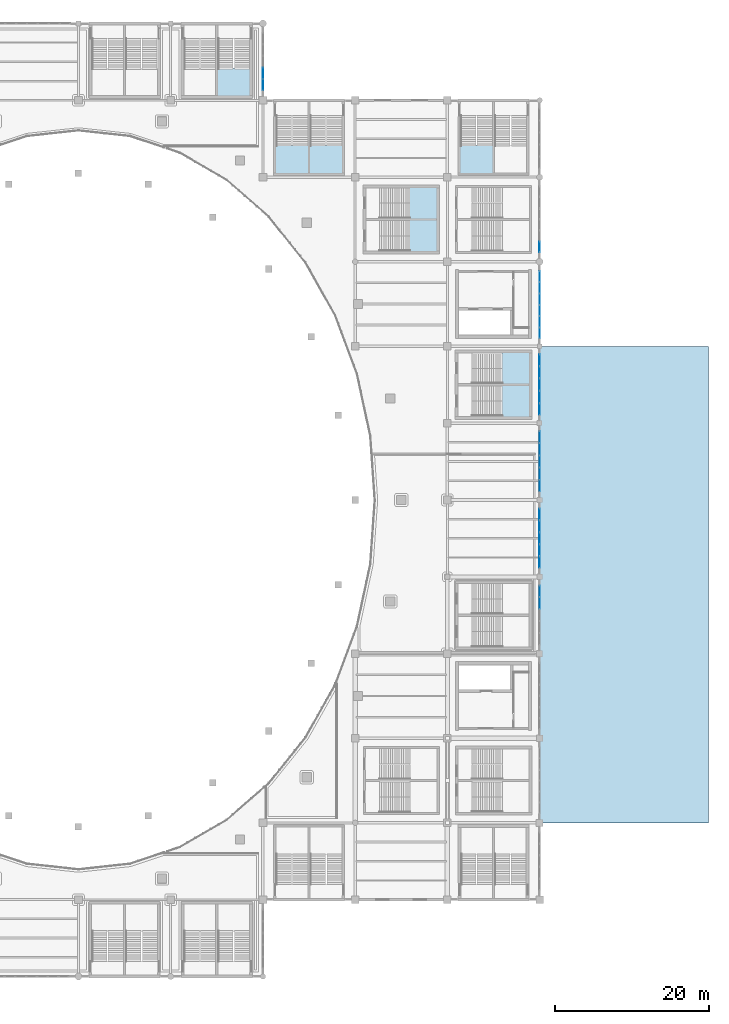
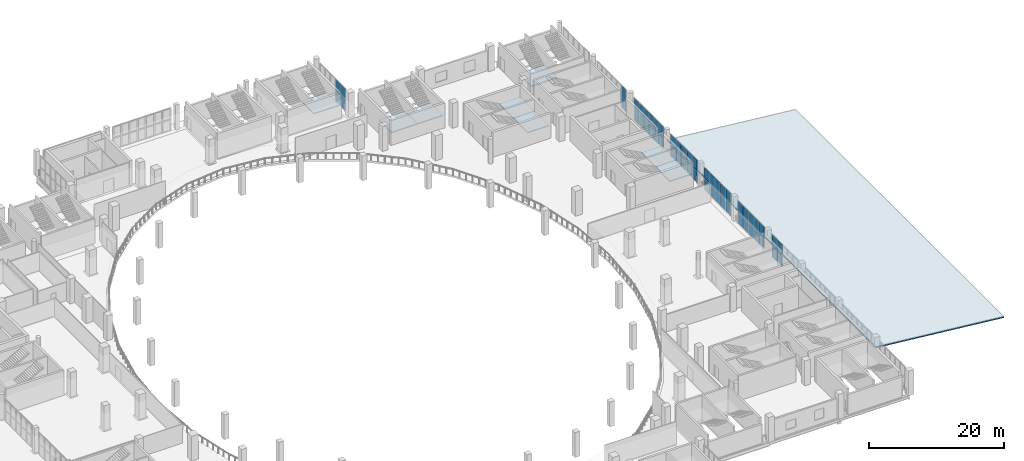
# One storey, part 75 of 108: 52 plates, 9 slabs, 15 elements without a shape of their own.
"""IFC4 building model written with IfcOpenShell, lengths in metres."""

from ifc_helpers import new_model, si_unit, direction, frame, origin, origin_2d, place, context, subcontext, project, spatial, polyline, rectangle, outline, extrude, material, layer, layer_set, type_object, element, aggregate, save


model = new_model("IFC4")

# Units and contexts
model_context = context("Model", 3, precision=1e-05, world=origin(), true_north=direction((0.0, 1.0)))
body_context = subcontext(model_context, "Body", "Model", "MODEL_VIEW")
ifc_project = project(units=[si_unit("LENGTHUNIT", "METRE"), si_unit("AREAUNIT", "SQUARE_METRE"), si_unit("VOLUMEUNIT", "CUBIC_METRE"), si_unit("PLANEANGLEUNIT", "RADIAN"), si_unit("MASSUNIT", "GRAM", prefix="KILO")], contexts=[model_context])

# Site, building, storey
site_placement = place(None, origin())
site = spatial("IfcSite", under=ifc_project, at=site_placement, CompositionType="ELEMENT")
building_placement = place(site_placement, origin())
building = spatial("IfcBuilding", under=site, at=building_placement, Name="Brinegate Civic Arena", CompositionType="ELEMENT")
storey_placement = place(building_placement, frame((0.0, 0.0, 10.199951171875)))
storey = spatial("IfcBuildingStorey", under=building, at=storey_placement, Name="L02", CompositionType="ELEMENT", Elevation=10.199951171875)

# Curtain wall, plates
ifc_material_1 = material(Name="Marine grade aluminium", Category="aluminium")
ifc_layer_1 = layer(ifc_material_1, 0.199951171875, Name="Marine grade aluminium")
ifc_layer_set_1 = layer_set([ifc_layer_1], Name="Marine grade aluminium")
curtain_wall_type_1 = type_object("IfcCurtainWallType", Name="CW-BOWL-GLAZED-01", PredefinedType="USERDEFINED", material=ifc_layer_set_1)
curtain_wall_1_placement = place(storey_placement, origin())
curtain_wall_1 = element("IfcCurtainWall", 1, at=curtain_wall_1_placement, inside=storey, type_object=curtain_wall_type_1, Name="Curtain Wall CWA-080", ObjectType="GLAZED CURTAIN WALL", PredefinedType="USERDEFINED")
ifc_material_2 = material(Name="Hurricane laminated low-E glass", Category="glass")
ifc_layer_2 = layer(ifc_material_2, 0.028076171875, Name="Hurricane laminated low-E glass")
ifc_layer_set_2 = layer_set([ifc_layer_2], Name="Hurricane laminated low-E glass")
plate_type_1 = type_object("IfcPlateType", Name="CW-PANEL-GLAZED-28", PredefinedType="CURTAIN_PANEL", material=ifc_layer_set_2)
plate_1_placement = place(storey_placement, frame((168.0, 48.578857421875, 0.06494140625), z_axis=(0.0, 0.0, 1.0), x_axis=(0.0, 1.0, 0.0)))
plate_1 = element("IfcPlate", 2, at=plate_1_placement, type_object=plate_type_1, Name="CWA-080 panel 4.1", PredefinedType="CURTAIN_PANEL", context=body_context, shape_type="SweptSolid", body=[
    extrude(rectangle(XDim=1.495849609375, YDim=0.028076171875, at=origin_2d()), origin(), (0.0, 0.0, 1.0), 1.9775390625),
])
plate_2_placement = place(storey_placement, frame((168.0, 48.578857421875, 2.107421875), z_axis=(0.0, 0.0, 1.0), x_axis=(0.0, 1.0, 0.0)))
plate_2 = element("IfcPlate", 3, at=plate_2_placement, type_object=plate_type_1, Name="CWA-080 panel 4.2", PredefinedType="CURTAIN_PANEL", context=body_context, shape_type="SweptSolid", body=[
    extrude(rectangle(XDim=1.495849609375, YDim=0.028076171875, at=origin_2d()), origin(), (0.0, 0.0, 1.0), 1.9775390625),
])
plate_3_placement = place(storey_placement, frame((168.0, 50.123291015625, 0.06494140625), z_axis=(0.0, 0.0, 1.0), x_axis=(0.0, 1.0, 0.0)))
plate_3 = element("IfcPlate", 4, at=plate_3_placement, type_object=plate_type_1, Name="CWA-080 panel 5.1", PredefinedType="CURTAIN_PANEL", context=body_context, shape_type="SweptSolid", body=[
    extrude(rectangle(XDim=1.46337890625, YDim=0.028076171875, at=origin_2d()), origin(), (0.0, 0.0, 1.0), 1.9775390625),
])
plate_4_placement = place(storey_placement, frame((168.0, 50.123291015625, 2.107421875), z_axis=(0.0, 0.0, 1.0), x_axis=(0.0, 1.0, 0.0)))
plate_4 = element("IfcPlate", 5, at=plate_4_placement, type_object=plate_type_1, Name="CWA-080 panel 5.2", PredefinedType="CURTAIN_PANEL", context=body_context, shape_type="SweptSolid", body=[
    extrude(rectangle(XDim=1.46337890625, YDim=0.028076171875, at=origin_2d()), origin(), (0.0, 0.0, 1.0), 1.9775390625),
])
aggregate(curtain_wall_1, [plate_1, plate_2, plate_3, plate_4])

curtain_wall_2_placement = place(storey_placement, origin())
curtain_wall_2 = element("IfcCurtainWall", 6, at=curtain_wall_2_placement, inside=storey, type_object=curtain_wall_type_1, Name="Curtain Wall CWA-084", ObjectType="GLAZED CURTAIN WALL", PredefinedType="USERDEFINED")
plate_5_placement = place(storey_placement, frame((168.0, 63.855712890625, 0.06494140625), z_axis=(0.0, 0.0, 1.0), x_axis=(0.0, 1.0, 0.0)))
plate_5 = element("IfcPlate", 7, at=plate_5_placement, type_object=plate_type_1, Name="CWA-084 panel 1.1", PredefinedType="CURTAIN_PANEL", context=body_context, shape_type="SweptSolid", body=[
    extrude(rectangle(XDim=1.491455078125, YDim=0.028076171875, at=origin_2d()), origin(), (0.0, 0.0, 1.0), 1.9775390625),
])
plate_6_placement = place(storey_placement, frame((168.0, 63.855712890625, 2.107421875), z_axis=(0.0, 0.0, 1.0), x_axis=(0.0, 1.0, 0.0)))
plate_6 = element("IfcPlate", 8, at=plate_6_placement, type_object=plate_type_1, Name="CWA-084 panel 1.2", PredefinedType="CURTAIN_PANEL", context=body_context, shape_type="SweptSolid", body=[
    extrude(rectangle(XDim=1.491455078125, YDim=0.028076171875, at=origin_2d()), origin(), (0.0, 0.0, 1.0), 1.9775390625),
])
plate_7_placement = place(storey_placement, frame((168.0, 65.428466796875, 0.06494140625), z_axis=(0.0, 0.0, 1.0), x_axis=(0.0, 1.0, 0.0)))
plate_7 = element("IfcPlate", 9, at=plate_7_placement, type_object=plate_type_1, Name="CWA-084 panel 2.1", PredefinedType="CURTAIN_PANEL", context=body_context, shape_type="SweptSolid", body=[
    extrude(rectangle(XDim=1.52392578125, YDim=0.028076171875, at=origin_2d()), origin(), (0.0, 0.0, 1.0), 1.9775390625),
])
plate_8_placement = place(storey_placement, frame((168.0, 65.428466796875, 2.107421875), z_axis=(0.0, 0.0, 1.0), x_axis=(0.0, 1.0, 0.0)))
plate_8 = element("IfcPlate", 10, at=plate_8_placement, type_object=plate_type_1, Name="CWA-084 panel 2.2", PredefinedType="CURTAIN_PANEL", context=body_context, shape_type="SweptSolid", body=[
    extrude(rectangle(XDim=1.52392578125, YDim=0.028076171875, at=origin_2d()), origin(), (0.0, 0.0, 1.0), 1.9775390625),
])
plate_9_placement = place(storey_placement, frame((168.0, 67.017578125, 0.06494140625), z_axis=(0.0, 0.0, 1.0), x_axis=(0.0, 1.0, 0.0)))
plate_9 = element("IfcPlate", 11, at=plate_9_placement, type_object=plate_type_1, Name="CWA-084 panel 3.1", PredefinedType="CURTAIN_PANEL", context=body_context, shape_type="SweptSolid", body=[
    extrude(rectangle(XDim=1.52392578125, YDim=0.028076171875, at=origin_2d()), origin(), (0.0, 0.0, 1.0), 1.9775390625),
])
plate_10_placement = place(storey_placement, frame((168.0, 67.017578125, 2.107421875), z_axis=(0.0, 0.0, 1.0), x_axis=(0.0, 1.0, 0.0)))
plate_10 = element("IfcPlate", 12, at=plate_10_placement, type_object=plate_type_1, Name="CWA-084 panel 3.2", PredefinedType="CURTAIN_PANEL", context=body_context, shape_type="SweptSolid", body=[
    extrude(rectangle(XDim=1.52392578125, YDim=0.028076171875, at=origin_2d()), origin(), (0.0, 0.0, 1.0), 1.9775390625),
])
plate_11_placement = place(storey_placement, frame((168.0, 68.6064453125, 0.06494140625), z_axis=(0.0, 0.0, 1.0), x_axis=(0.0, 1.0, 0.0)))
plate_11 = element("IfcPlate", 13, at=plate_11_placement, type_object=plate_type_1, Name="CWA-084 panel 4.1", PredefinedType="CURTAIN_PANEL", context=body_context, shape_type="SweptSolid", body=[
    extrude(rectangle(XDim=1.52392578125, YDim=0.028076171875, at=origin_2d()), origin(), (0.0, 0.0, 1.0), 1.9775390625),
])
plate_12_placement = place(storey_placement, frame((168.0, 68.6064453125, 2.107421875), z_axis=(0.0, 0.0, 1.0), x_axis=(0.0, 1.0, 0.0)))
plate_12 = element("IfcPlate", 14, at=plate_12_placement, type_object=plate_type_1, Name="CWA-084 panel 4.2", PredefinedType="CURTAIN_PANEL", context=body_context, shape_type="SweptSolid", body=[
    extrude(rectangle(XDim=1.52392578125, YDim=0.028076171875, at=origin_2d()), origin(), (0.0, 0.0, 1.0), 1.9775390625),
])
plate_13_placement = place(storey_placement, frame((168.0, 70.17919921875, 0.06494140625), z_axis=(0.0, 0.0, 1.0), x_axis=(0.0, 1.0, 0.0)))
plate_13 = element("IfcPlate", 15, at=plate_13_placement, type_object=plate_type_1, Name="CWA-084 panel 5.1", PredefinedType="CURTAIN_PANEL", context=body_context, shape_type="SweptSolid", body=[
    extrude(rectangle(XDim=1.491455078125, YDim=0.028076171875, at=origin_2d()), origin(), (0.0, 0.0, 1.0), 1.9775390625),
])
plate_14_placement = place(storey_placement, frame((168.0, 70.17919921875, 2.107421875), z_axis=(0.0, 0.0, 1.0), x_axis=(0.0, 1.0, 0.0)))
plate_14 = element("IfcPlate", 16, at=plate_14_placement, type_object=plate_type_1, Name="CWA-084 panel 5.2", PredefinedType="CURTAIN_PANEL", context=body_context, shape_type="SweptSolid", body=[
    extrude(rectangle(XDim=1.491455078125, YDim=0.028076171875, at=origin_2d()), origin(), (0.0, 0.0, 1.0), 1.9775390625),
])
aggregate(curtain_wall_2, [plate_5, plate_6, plate_7, plate_8, plate_9, plate_10, plate_11, plate_12, plate_13, plate_14])

curtain_wall_3_placement = place(storey_placement, origin())
curtain_wall_3 = element("IfcCurtainWall", 17, at=curtain_wall_3_placement, inside=storey, type_object=curtain_wall_type_1, Name="Curtain Wall CWA-088", ObjectType="GLAZED CURTAIN WALL", PredefinedType="USERDEFINED")
plate_15_placement = place(storey_placement, frame((168.0, 83.726806640625, 0.0751953125), z_axis=(0.0, 0.0, 1.0), x_axis=(0.0, 1.0, 0.0)))
plate_15 = element("IfcPlate", 18, at=plate_15_placement, type_object=plate_type_1, Name="CWA-088 panel 1.1", PredefinedType="CURTAIN_PANEL", context=body_context, shape_type="SweptSolid", body=[
    extrude(rectangle(XDim=1.375732421875, YDim=0.028076171875, at=origin_2d()), origin(), (0.0, 0.0, 1.0), 1.96240234375),
])
plate_16_placement = place(storey_placement, frame((168.0, 83.726806640625, 2.112548828125), z_axis=(0.0, 0.0, 1.0), x_axis=(0.0, 1.0, 0.0)))
plate_16 = element("IfcPlate", 19, at=plate_16_placement, type_object=plate_type_1, Name="CWA-088 panel 1.2", PredefinedType="CURTAIN_PANEL", context=body_context, shape_type="SweptSolid", body=[
    extrude(rectangle(XDim=1.375732421875, YDim=0.028076171875, at=origin_2d()), origin(), (0.0, 0.0, 1.0), 1.96240234375),
])
plate_17_placement = place(storey_placement, frame((168.0, 85.18408203125, 0.0751953125), z_axis=(0.0, 0.0, 1.0), x_axis=(0.0, 1.0, 0.0)))
plate_17 = element("IfcPlate", 20, at=plate_17_placement, type_object=plate_type_1, Name="CWA-088 panel 2.1", PredefinedType="CURTAIN_PANEL", context=body_context, shape_type="SweptSolid", body=[
    extrude(rectangle(XDim=1.408447265625, YDim=0.028076171875, at=origin_2d()), origin(), (0.0, 0.0, 1.0), 1.96240234375),
])
plate_18_placement = place(storey_placement, frame((168.0, 85.18408203125, 2.112548828125), z_axis=(0.0, 0.0, 1.0), x_axis=(0.0, 1.0, 0.0)))
plate_18 = element("IfcPlate", 21, at=plate_18_placement, type_object=plate_type_1, Name="CWA-088 panel 2.2", PredefinedType="CURTAIN_PANEL", context=body_context, shape_type="SweptSolid", body=[
    extrude(rectangle(XDim=1.408447265625, YDim=0.028076171875, at=origin_2d()), origin(), (0.0, 0.0, 1.0), 1.96240234375),
])
plate_19_placement = place(storey_placement, frame((168.0, 86.6572265625, 0.0751953125), z_axis=(0.0, 0.0, 1.0), x_axis=(0.0, 1.0, 0.0)))
plate_19 = element("IfcPlate", 22, at=plate_19_placement, type_object=plate_type_1, Name="CWA-088 panel 3.1", PredefinedType="CURTAIN_PANEL", context=body_context, shape_type="SweptSolid", body=[
    extrude(rectangle(XDim=1.408447265625, YDim=0.028076171875, at=origin_2d()), origin(), (0.0, 0.0, 1.0), 1.96240234375),
])
plate_20_placement = place(storey_placement, frame((168.0, 86.6572265625, 2.112548828125), z_axis=(0.0, 0.0, 1.0), x_axis=(0.0, 1.0, 0.0)))
plate_20 = element("IfcPlate", 23, at=plate_20_placement, type_object=plate_type_1, Name="CWA-088 panel 3.2", PredefinedType="CURTAIN_PANEL", context=body_context, shape_type="SweptSolid", body=[
    extrude(rectangle(XDim=1.408447265625, YDim=0.028076171875, at=origin_2d()), origin(), (0.0, 0.0, 1.0), 1.96240234375),
])
plate_21_placement = place(storey_placement, frame((168.0, 88.130615234375, 0.0751953125), z_axis=(0.0, 0.0, 1.0), x_axis=(0.0, 1.0, 0.0)))
plate_21 = element("IfcPlate", 24, at=plate_21_placement, type_object=plate_type_1, Name="CWA-088 panel 4.1", PredefinedType="CURTAIN_PANEL", context=body_context, shape_type="SweptSolid", body=[
    extrude(rectangle(XDim=1.408447265625, YDim=0.028076171875, at=origin_2d()), origin(), (0.0, 0.0, 1.0), 1.96240234375),
])
plate_22_placement = place(storey_placement, frame((168.0, 88.130615234375, 2.112548828125), z_axis=(0.0, 0.0, 1.0), x_axis=(0.0, 1.0, 0.0)))
plate_22 = element("IfcPlate", 25, at=plate_22_placement, type_object=plate_type_1, Name="CWA-088 panel 4.2", PredefinedType="CURTAIN_PANEL", context=body_context, shape_type="SweptSolid", body=[
    extrude(rectangle(XDim=1.408447265625, YDim=0.028076171875, at=origin_2d()), origin(), (0.0, 0.0, 1.0), 1.96240234375),
])
plate_23_placement = place(storey_placement, frame((168.0, 89.60400390625, 0.0751953125), z_axis=(0.0, 0.0, 1.0), x_axis=(0.0, 1.0, 0.0)))
plate_23 = element("IfcPlate", 26, at=plate_23_placement, type_object=plate_type_1, Name="CWA-088 panel 5.1", PredefinedType="CURTAIN_PANEL", context=body_context, shape_type="SweptSolid", body=[
    extrude(rectangle(XDim=1.408447265625, YDim=0.028076171875, at=origin_2d()), origin(), (0.0, 0.0, 1.0), 1.96240234375),
])
plate_24_placement = place(storey_placement, frame((168.0, 89.60400390625, 2.112548828125), z_axis=(0.0, 0.0, 1.0), x_axis=(0.0, 1.0, 0.0)))
plate_24 = element("IfcPlate", 27, at=plate_24_placement, type_object=plate_type_1, Name="CWA-088 panel 5.2", PredefinedType="CURTAIN_PANEL", context=body_context, shape_type="SweptSolid", body=[
    extrude(rectangle(XDim=1.408447265625, YDim=0.028076171875, at=origin_2d()), origin(), (0.0, 0.0, 1.0), 1.96240234375),
])
plate_25_placement = place(storey_placement, frame((168.0, 91.06103515625, 0.0751953125), z_axis=(0.0, 0.0, 1.0), x_axis=(0.0, 1.0, 0.0)))
plate_25 = element("IfcPlate", 28, at=plate_25_placement, type_object=plate_type_1, Name="CWA-088 panel 6.1", PredefinedType="CURTAIN_PANEL", context=body_context, shape_type="SweptSolid", body=[
    extrude(rectangle(XDim=1.375732421875, YDim=0.028076171875, at=origin_2d()), origin(), (0.0, 0.0, 1.0), 1.96240234375),
])
plate_26_placement = place(storey_placement, frame((168.0, 91.06103515625, 2.112548828125), z_axis=(0.0, 0.0, 1.0), x_axis=(0.0, 1.0, 0.0)))
plate_26 = element("IfcPlate", 29, at=plate_26_placement, type_object=plate_type_1, Name="CWA-088 panel 6.2", PredefinedType="CURTAIN_PANEL", context=body_context, shape_type="SweptSolid", body=[
    extrude(rectangle(XDim=1.375732421875, YDim=0.028076171875, at=origin_2d()), origin(), (0.0, 0.0, 1.0), 1.96240234375),
])
aggregate(curtain_wall_3, [plate_15, plate_16, plate_17, plate_18, plate_19, plate_20, plate_21, plate_22, plate_23, plate_24, plate_25, plate_26])

ifc_layer_3 = layer(ifc_material_1, 0.235107421875, Name="Marine grade aluminium")
ifc_layer_set_3 = layer_set([ifc_layer_3], Name="Marine grade aluminium")
curtain_wall_type_2 = type_object("IfcCurtainWallType", Name="CW-PORTAL-NORTH-01", PredefinedType="USERDEFINED", material=ifc_layer_set_3)
curtain_wall_4_placement = place(storey_placement, origin())
curtain_wall_4 = element("IfcCurtainWall", 30, at=curtain_wall_4_placement, inside=storey, type_object=curtain_wall_type_2, Name="Curtain Wall CWA-101", ObjectType="PORTAL CURTAIN WALL", PredefinedType="USERDEFINED")
ifc_layer_4 = layer(ifc_material_2, 0.031982421875, Name="Hurricane laminated low-E glass")
ifc_layer_set_4 = layer_set([ifc_layer_4], Name="Hurricane laminated low-E glass")
plate_type_2 = type_object("IfcPlateType", Name="CW-PANEL-GLAZED-32", PredefinedType="CURTAIN_PANEL", material=ifc_layer_set_4)
plate_27_placement = place(storey_placement, frame((132.0, 116.029052734375, 0.06494140625), z_axis=(0.0, 0.0, 1.0), x_axis=(0.0, 1.0, 0.0)))
plate_27 = element("IfcPlate", 31, at=plate_27_placement, type_object=plate_type_2, Name="CWA-101 panel 1.1", PredefinedType="CURTAIN_PANEL", context=body_context, shape_type="SweptSolid", body=[
    extrude(rectangle(XDim=1.413818359375, YDim=0.031982421875, at=origin_2d()), origin(), (0.0, 0.0, 1.0), 1.9775390625),
])
plate_28_placement = place(storey_placement, frame((132.0, 116.029052734375, 2.107421875), z_axis=(0.0, 0.0, 1.0), x_axis=(0.0, 1.0, 0.0)))
plate_28 = element("IfcPlate", 32, at=plate_28_placement, type_object=plate_type_2, Name="CWA-101 panel 1.2", PredefinedType="CURTAIN_PANEL", context=body_context, shape_type="SweptSolid", body=[
    extrude(rectangle(XDim=1.413818359375, YDim=0.031982421875, at=origin_2d()), origin(), (0.0, 0.0, 1.0), 1.9775390625),
])
plate_29_placement = place(storey_placement, frame((132.0, 117.524169921875, 0.06494140625), z_axis=(0.0, 0.0, 1.0), x_axis=(0.0, 1.0, 0.0)))
plate_29 = element("IfcPlate", 33, at=plate_29_placement, type_object=plate_type_2, Name="CWA-101 panel 2.1", PredefinedType="CURTAIN_PANEL", context=body_context, shape_type="SweptSolid", body=[
    extrude(rectangle(XDim=1.4462890625, YDim=0.031982421875, at=origin_2d()), origin(), (0.0, 0.0, 1.0), 1.9775390625),
])
plate_30_placement = place(storey_placement, frame((132.0, 117.524169921875, 2.107421875), z_axis=(0.0, 0.0, 1.0), x_axis=(0.0, 1.0, 0.0)))
plate_30 = element("IfcPlate", 34, at=plate_30_placement, type_object=plate_type_2, Name="CWA-101 panel 2.2", PredefinedType="CURTAIN_PANEL", context=body_context, shape_type="SweptSolid", body=[
    extrude(rectangle(XDim=1.4462890625, YDim=0.031982421875, at=origin_2d()), origin(), (0.0, 0.0, 1.0), 1.9775390625),
])
aggregate(curtain_wall_4, [plate_27, plate_28, plate_29, plate_30])

curtain_wall_5_placement = place(storey_placement, origin())
curtain_wall_5 = element("IfcCurtainWall", 35, at=curtain_wall_5_placement, inside=storey, type_object=curtain_wall_type_1, Name="Curtain Wall CWA-082", ObjectType="GLAZED CURTAIN WALL", PredefinedType="USERDEFINED")
ifc_layer_5 = layer(ifc_material_2, 0.035888671875, Name="Hurricane laminated low-E glass")
ifc_layer_set_5 = layer_set([ifc_layer_5], Name="Hurricane laminated low-E glass")
plate_type_3 = type_object("IfcPlateType", Name="CW-PANEL-GLAZED-36", PredefinedType="CURTAIN_PANEL", material=ifc_layer_set_5)
plate_31_placement = place(storey_placement, frame((168.0, 53.88623046875, 0.0751953125), z_axis=(0.0, 0.0, 1.0), x_axis=(0.0, 1.0, 0.0)))
plate_31 = element("IfcPlate", 36, at=plate_31_placement, type_object=plate_type_3, Name="CWA-082 panel 1.1", PredefinedType="CURTAIN_PANEL", context=body_context, shape_type="SweptSolid", body=[
    extrude(rectangle(XDim=1.46240234375, YDim=0.035888671875, at=origin_2d()), origin(), (0.0, 0.0, 1.0), 1.96240234375),
])
plate_32_placement = place(storey_placement, frame((168.0, 53.88623046875, 2.112548828125), z_axis=(0.0, 0.0, 1.0), x_axis=(0.0, 1.0, 0.0)))
plate_32 = element("IfcPlate", 37, at=plate_32_placement, type_object=plate_type_3, Name="CWA-082 panel 1.2", PredefinedType="CURTAIN_PANEL", context=body_context, shape_type="SweptSolid", body=[
    extrude(rectangle(XDim=1.46240234375, YDim=0.035888671875, at=origin_2d()), origin(), (0.0, 0.0, 1.0), 1.96240234375),
])
plate_33_placement = place(storey_placement, frame((168.0, 55.4423828125, 0.0751953125), z_axis=(0.0, 0.0, 1.0), x_axis=(0.0, 1.0, 0.0)))
plate_33 = element("IfcPlate", 38, at=plate_33_placement, type_object=plate_type_3, Name="CWA-082 panel 2.1", PredefinedType="CURTAIN_PANEL", context=body_context, shape_type="SweptSolid", body=[
    extrude(rectangle(XDim=1.5, YDim=0.035888671875, at=origin_2d()), origin(), (0.0, 0.0, 1.0), 1.96240234375),
])
plate_34_placement = place(storey_placement, frame((168.0, 55.4423828125, 2.112548828125), z_axis=(0.0, 0.0, 1.0), x_axis=(0.0, 1.0, 0.0)))
plate_34 = element("IfcPlate", 39, at=plate_34_placement, type_object=plate_type_3, Name="CWA-082 panel 2.2", PredefinedType="CURTAIN_PANEL", context=body_context, shape_type="SweptSolid", body=[
    extrude(rectangle(XDim=1.5, YDim=0.035888671875, at=origin_2d()), origin(), (0.0, 0.0, 1.0), 1.96240234375),
])
plate_35_placement = place(storey_placement, frame((168.0, 57.017578125, 0.0751953125), z_axis=(0.0, 0.0, 1.0), x_axis=(0.0, 1.0, 0.0)))
plate_35 = element("IfcPlate", 40, at=plate_35_placement, type_object=plate_type_3, Name="CWA-082 panel 3.1", PredefinedType="CURTAIN_PANEL", context=body_context, shape_type="SweptSolid", body=[
    extrude(rectangle(XDim=1.5, YDim=0.035888671875, at=origin_2d()), origin(), (0.0, 0.0, 1.0), 1.96240234375),
])
plate_36_placement = place(storey_placement, frame((168.0, 57.017578125, 2.112548828125), z_axis=(0.0, 0.0, 1.0), x_axis=(0.0, 1.0, 0.0)))
plate_36 = element("IfcPlate", 41, at=plate_36_placement, type_object=plate_type_3, Name="CWA-082 panel 3.2", PredefinedType="CURTAIN_PANEL", context=body_context, shape_type="SweptSolid", body=[
    extrude(rectangle(XDim=1.5, YDim=0.035888671875, at=origin_2d()), origin(), (0.0, 0.0, 1.0), 1.96240234375),
])
plate_37_placement = place(storey_placement, frame((168.0, 58.592529296875, 0.0751953125), z_axis=(0.0, 0.0, 1.0), x_axis=(0.0, 1.0, 0.0)))
plate_37 = element("IfcPlate", 42, at=plate_37_placement, type_object=plate_type_3, Name="CWA-082 panel 4.1", PredefinedType="CURTAIN_PANEL", context=body_context, shape_type="SweptSolid", body=[
    extrude(rectangle(XDim=1.5, YDim=0.035888671875, at=origin_2d()), origin(), (0.0, 0.0, 1.0), 1.96240234375),
])
plate_38_placement = place(storey_placement, frame((168.0, 58.592529296875, 2.112548828125), z_axis=(0.0, 0.0, 1.0), x_axis=(0.0, 1.0, 0.0)))
plate_38 = element("IfcPlate", 43, at=plate_38_placement, type_object=plate_type_3, Name="CWA-082 panel 4.2", PredefinedType="CURTAIN_PANEL", context=body_context, shape_type="SweptSolid", body=[
    extrude(rectangle(XDim=1.5, YDim=0.035888671875, at=origin_2d()), origin(), (0.0, 0.0, 1.0), 1.96240234375),
])
plate_39_placement = place(storey_placement, frame((168.0, 60.148681640625, 0.0751953125), z_axis=(0.0, 0.0, 1.0), x_axis=(0.0, 1.0, 0.0)))
plate_39 = element("IfcPlate", 44, at=plate_39_placement, type_object=plate_type_3, Name="CWA-082 panel 5.1", PredefinedType="CURTAIN_PANEL", context=body_context, shape_type="SweptSolid", body=[
    extrude(rectangle(XDim=1.46240234375, YDim=0.035888671875, at=origin_2d()), origin(), (0.0, 0.0, 1.0), 1.96240234375),
])
plate_40_placement = place(storey_placement, frame((168.0, 60.148681640625, 2.112548828125), z_axis=(0.0, 0.0, 1.0), x_axis=(0.0, 1.0, 0.0)))
plate_40 = element("IfcPlate", 45, at=plate_40_placement, type_object=plate_type_3, Name="CWA-082 panel 5.2", PredefinedType="CURTAIN_PANEL", context=body_context, shape_type="SweptSolid", body=[
    extrude(rectangle(XDim=1.46240234375, YDim=0.035888671875, at=origin_2d()), origin(), (0.0, 0.0, 1.0), 1.96240234375),
])
aggregate(curtain_wall_5, [plate_31, plate_32, plate_33, plate_34, plate_35, plate_36, plate_37, plate_38, plate_39, plate_40])

curtain_wall_6_placement = place(storey_placement, origin())
curtain_wall_6 = element("IfcCurtainWall", 46, at=curtain_wall_6_placement, inside=storey, type_object=curtain_wall_type_1, Name="Curtain Wall CWA-086", ObjectType="GLAZED CURTAIN WALL", PredefinedType="USERDEFINED")
plate_41_placement = place(storey_placement, frame((168.0, 73.830322265625, 0.06494140625), z_axis=(0.0, 0.0, 1.0), x_axis=(0.0, 1.0, 0.0)))
plate_41 = element("IfcPlate", 47, at=plate_41_placement, type_object=plate_type_3, Name="CWA-086 panel 1.1", PredefinedType="CURTAIN_PANEL", context=body_context, shape_type="SweptSolid", body=[
    extrude(rectangle(XDim=1.49072265625, YDim=0.035888671875, at=origin_2d()), origin(), (0.0, 0.0, 1.0), 1.9775390625),
])
plate_42_placement = place(storey_placement, frame((168.0, 73.830322265625, 2.107421875), z_axis=(0.0, 0.0, 1.0), x_axis=(0.0, 1.0, 0.0)))
plate_42 = element("IfcPlate", 48, at=plate_42_placement, type_object=plate_type_3, Name="CWA-086 panel 1.2", PredefinedType="CURTAIN_PANEL", context=body_context, shape_type="SweptSolid", body=[
    extrude(rectangle(XDim=1.49072265625, YDim=0.035888671875, at=origin_2d()), origin(), (0.0, 0.0, 1.0), 1.9775390625),
])
plate_43_placement = place(storey_placement, frame((168.0, 75.414794921875, 0.06494140625), z_axis=(0.0, 0.0, 1.0), x_axis=(0.0, 1.0, 0.0)))
plate_43 = element("IfcPlate", 49, at=plate_43_placement, type_object=plate_type_3, Name="CWA-086 panel 2.1", PredefinedType="CURTAIN_PANEL", context=body_context, shape_type="SweptSolid", body=[
    extrude(rectangle(XDim=1.5283203125, YDim=0.035888671875, at=origin_2d()), origin(), (0.0, 0.0, 1.0), 1.9775390625),
])
plate_44_placement = place(storey_placement, frame((168.0, 75.414794921875, 2.107421875), z_axis=(0.0, 0.0, 1.0), x_axis=(0.0, 1.0, 0.0)))
plate_44 = element("IfcPlate", 50, at=plate_44_placement, type_object=plate_type_3, Name="CWA-086 panel 2.2", PredefinedType="CURTAIN_PANEL", context=body_context, shape_type="SweptSolid", body=[
    extrude(rectangle(XDim=1.5283203125, YDim=0.035888671875, at=origin_2d()), origin(), (0.0, 0.0, 1.0), 1.9775390625),
])
plate_45_placement = place(storey_placement, frame((168.0, 77.01806640625, 0.06494140625), z_axis=(0.0, 0.0, 1.0), x_axis=(0.0, 1.0, 0.0)))
plate_45 = element("IfcPlate", 51, at=plate_45_placement, type_object=plate_type_3, Name="CWA-086 panel 3.1", PredefinedType="CURTAIN_PANEL", context=body_context, shape_type="SweptSolid", body=[
    extrude(rectangle(XDim=1.5283203125, YDim=0.035888671875, at=origin_2d()), origin(), (0.0, 0.0, 1.0), 1.9775390625),
])
plate_46_placement = place(storey_placement, frame((168.0, 77.01806640625, 2.107421875), z_axis=(0.0, 0.0, 1.0), x_axis=(0.0, 1.0, 0.0)))
plate_46 = element("IfcPlate", 52, at=plate_46_placement, type_object=plate_type_3, Name="CWA-086 panel 3.2", PredefinedType="CURTAIN_PANEL", context=body_context, shape_type="SweptSolid", body=[
    extrude(rectangle(XDim=1.5283203125, YDim=0.035888671875, at=origin_2d()), origin(), (0.0, 0.0, 1.0), 1.9775390625),
])
plate_47_placement = place(storey_placement, frame((168.0, 78.62109375, 0.06494140625), z_axis=(0.0, 0.0, 1.0), x_axis=(0.0, 1.0, 0.0)))
plate_47 = element("IfcPlate", 53, at=plate_47_placement, type_object=plate_type_3, Name="CWA-086 panel 4.1", PredefinedType="CURTAIN_PANEL", context=body_context, shape_type="SweptSolid", body=[
    extrude(rectangle(XDim=1.5283203125, YDim=0.035888671875, at=origin_2d()), origin(), (0.0, 0.0, 1.0), 1.9775390625),
])
plate_48_placement = place(storey_placement, frame((168.0, 78.62109375, 2.107421875), z_axis=(0.0, 0.0, 1.0), x_axis=(0.0, 1.0, 0.0)))
plate_48 = element("IfcPlate", 54, at=plate_48_placement, type_object=plate_type_3, Name="CWA-086 panel 4.2", PredefinedType="CURTAIN_PANEL", context=body_context, shape_type="SweptSolid", body=[
    extrude(rectangle(XDim=1.5283203125, YDim=0.035888671875, at=origin_2d()), origin(), (0.0, 0.0, 1.0), 1.9775390625),
])
plate_49_placement = place(storey_placement, frame((168.0, 80.20556640625, 0.06494140625), z_axis=(0.0, 0.0, 1.0), x_axis=(0.0, 1.0, 0.0)))
plate_49 = element("IfcPlate", 55, at=plate_49_placement, type_object=plate_type_3, Name="CWA-086 panel 5.1", PredefinedType="CURTAIN_PANEL", context=body_context, shape_type="SweptSolid", body=[
    extrude(rectangle(XDim=1.49072265625, YDim=0.035888671875, at=origin_2d()), origin(), (0.0, 0.0, 1.0), 1.9775390625),
])
plate_50_placement = place(storey_placement, frame((168.0, 80.20556640625, 2.107421875), z_axis=(0.0, 0.0, 1.0), x_axis=(0.0, 1.0, 0.0)))
plate_50 = element("IfcPlate", 56, at=plate_50_placement, type_object=plate_type_3, Name="CWA-086 panel 5.2", PredefinedType="CURTAIN_PANEL", context=body_context, shape_type="SweptSolid", body=[
    extrude(rectangle(XDim=1.49072265625, YDim=0.035888671875, at=origin_2d()), origin(), (0.0, 0.0, 1.0), 1.9775390625),
])
aggregate(curtain_wall_6, [plate_41, plate_42, plate_43, plate_44, plate_45, plate_46, plate_47, plate_48, plate_49, plate_50])

curtain_wall_7_placement = place(storey_placement, origin())
curtain_wall_7 = element("IfcCurtainWall", 57, at=curtain_wall_7_placement, inside=storey, type_object=curtain_wall_type_1, Name="Curtain Wall CWA-090", ObjectType="GLAZED CURTAIN WALL", PredefinedType="USERDEFINED")
plate_51_placement = place(storey_placement, frame((168.0, 94.9296875, 0.06494140625), z_axis=(0.0, 0.0, 1.0), x_axis=(0.0, 1.0, 0.0)))
plate_51 = element("IfcPlate", 58, at=plate_51_placement, type_object=plate_type_3, Name="CWA-090 panel 1.1", PredefinedType="CURTAIN_PANEL", context=body_context, shape_type="SweptSolid", body=[
    extrude(rectangle(XDim=1.337158203125, YDim=0.035888671875, at=origin_2d()), origin(), (0.0, 0.0, 1.0), 1.9775390625),
])
plate_52_placement = place(storey_placement, frame((168.0, 94.9296875, 2.107421875), z_axis=(0.0, 0.0, 1.0), x_axis=(0.0, 1.0, 0.0)))
plate_52 = element("IfcPlate", 59, at=plate_52_placement, type_object=plate_type_3, Name="CWA-090 panel 1.2", PredefinedType="CURTAIN_PANEL", context=body_context, shape_type="SweptSolid", body=[
    extrude(rectangle(XDim=1.337158203125, YDim=0.035888671875, at=origin_2d()), origin(), (0.0, 0.0, 1.0), 1.9775390625),
])
aggregate(curtain_wall_7, [plate_51, plate_52])

# Stair, slab
ifc_material_3 = material(Name="Concrete C40/50", Category="concrete")
stair_type_1 = type_object("IfcStairType", Name="STAIR-EXIT-3700", PredefinedType="HALF_TURN_STAIR", material=ifc_material_3)
stair_1_placement = place(storey_placement, origin())
stair_1 = element("IfcStair", 60, at=stair_1_placement, inside=storey, type_object=stair_type_1, Name="Protected Exit Stair ST-03B (L02)", PredefinedType="HALF_TURN_STAIR")
ifc_layer_6 = layer(ifc_material_3, 0.179931640625, Name="Concrete C40/50")
ifc_layer_set_6 = layer_set([ifc_layer_6], Name="Concrete C40/50")
slab_type_1 = type_object("IfcSlabType", Name="SLAB-LANDING-180", PredefinedType="LANDING", material=ifc_layer_set_6)
slab_1_placement = place(storey_placement, frame((0.0, 0.0, 2.070068359375)))
slab_1 = element("IfcSlab", 61, at=slab_1_placement, type_object=slab_type_1, Name="ST-03B landing 1", PredefinedType="LANDING", context=body_context, shape_type="SweptSolid", body=[
    extrude(outline(polyline([(125.9951171875, 114.39990234375), (130.405029296875, 114.39990234375), (130.405029296875, 118.1201171875), (125.9951171875, 118.1201171875), (125.9951171875, 114.39990234375)])), origin(), (0.0, 0.0, 1.0), 0.179931640625),
])
aggregate(stair_1, [slab_1])

stair_type_2 = type_object("IfcStairType", Name="STAIR-EXIT-3850", PredefinedType="HALF_TURN_STAIR", material=ifc_material_3)
stair_2_placement = place(storey_placement, origin())
stair_2 = element("IfcStair", 62, at=stair_2_placement, inside=storey, type_object=stair_type_2, Name="Protected Exit Stair ST-05A (L02)", PredefinedType="HALF_TURN_STAIR")
slab_2_placement = place(storey_placement, frame((0.0, 0.0, 2.070068359375)))
slab_2 = element("IfcSlab", 63, at=slab_2_placement, type_object=slab_type_1, Name="ST-05A landing 1", PredefinedType="LANDING", context=body_context, shape_type="SweptSolid", body=[
    extrude(outline(polyline([(157.544921875, 104.39990234375), (162.0048828125, 104.39990234375), (162.0048828125, 108.1201171875), (157.544921875, 108.1201171875), (157.544921875, 104.39990234375)])), origin(), (0.0, 0.0, 1.0), 0.179931640625),
])
aggregate(stair_2, [slab_2])

stair_3_placement = place(storey_placement, origin())
stair_3 = element("IfcStair", 64, at=stair_3_placement, inside=storey, type_object=stair_type_2, Name="Protected Exit Stair ST-09A (L02)", PredefinedType="HALF_TURN_STAIR")
slab_3_placement = place(storey_placement, frame((0.0, 0.0, 2.070068359375)))
slab_3 = element("IfcSlab", 65, at=slab_3_placement, type_object=slab_type_1, Name="ST-09A landing 1", PredefinedType="LANDING", context=body_context, shape_type="SweptSolid", body=[
    extrude(outline(polyline([(163.080078125, 72.7451171875), (166.800048828125, 72.7451171875), (166.800048828125, 77.0048828125), (163.080078125, 77.0048828125), (163.080078125, 72.7451171875)])), origin(), (0.0, 0.0, 1.0), 0.179931640625),
])
aggregate(stair_3, [slab_3])

stair_4_placement = place(storey_placement, origin())
stair_4 = element("IfcStair", 66, at=stair_4_placement, inside=storey, type_object=stair_type_1, Name="Protected Exit Stair ST-09B (L02)", PredefinedType="HALF_TURN_STAIR")
slab_4_placement = place(storey_placement, frame((0.0, 0.0, 2.070068359375)))
slab_4 = element("IfcSlab", 67, at=slab_4_placement, type_object=slab_type_1, Name="ST-09B landing 1", PredefinedType="LANDING", context=body_context, shape_type="SweptSolid", body=[
    extrude(outline(polyline([(163.080078125, 76.9951171875), (166.800048828125, 76.9951171875), (166.800048828125, 81.2548828125), (163.080078125, 81.2548828125), (163.080078125, 76.9951171875)])), origin(), (0.0, 0.0, 1.0), 0.179931640625),
])
aggregate(stair_4, [slab_4])

stair_5_placement = place(storey_placement, origin())
stair_5 = element("IfcStair", 68, at=stair_5_placement, inside=storey, type_object=stair_type_2, Name="Protected Exit Stair ST-13A (L02)", PredefinedType="HALF_TURN_STAIR")
slab_5_placement = place(storey_placement, frame((0.0, 0.0, 2.070068359375)))
slab_5 = element("IfcSlab", 69, at=slab_5_placement, type_object=slab_type_1, Name="ST-13A landing 1", PredefinedType="LANDING", context=body_context, shape_type="SweptSolid", body=[
    extrude(outline(polyline([(133.574951171875, 104.39990234375), (138.0048828125, 104.39990234375), (138.0048828125, 108.1201171875), (133.574951171875, 108.1201171875), (133.574951171875, 104.39990234375)])), origin(), (0.0, 0.0, 1.0), 0.179931640625),
])
aggregate(stair_5, [slab_5])

stair_6_placement = place(storey_placement, origin())
stair_6 = element("IfcStair", 70, at=stair_6_placement, inside=storey, type_object=stair_type_1, Name="Protected Exit Stair ST-13B (L02)", PredefinedType="HALF_TURN_STAIR")
slab_6_placement = place(storey_placement, frame((0.0, 0.0, 2.070068359375)))
slab_6 = element("IfcSlab", 71, at=slab_6_placement, type_object=slab_type_1, Name="ST-13B landing 1", PredefinedType="LANDING", context=body_context, shape_type="SweptSolid", body=[
    extrude(outline(polyline([(137.9951171875, 104.39990234375), (142.425048828125, 104.39990234375), (142.425048828125, 108.1201171875), (137.9951171875, 108.1201171875), (137.9951171875, 104.39990234375)])), origin(), (0.0, 0.0, 1.0), 0.179931640625),
])
aggregate(stair_6, [slab_6])

stair_7_placement = place(storey_placement, origin())
stair_7 = element("IfcStair", 72, at=stair_7_placement, inside=storey, type_object=stair_type_2, Name="Protected Exit Stair ST-18A (L02)", PredefinedType="HALF_TURN_STAIR")
slab_7_placement = place(storey_placement, frame((0.0, 0.0, 2.070068359375)))
slab_7 = element("IfcSlab", 73, at=slab_7_placement, type_object=slab_type_1, Name="ST-18A landing 1", PredefinedType="LANDING", context=body_context, shape_type="SweptSolid", body=[
    extrude(outline(polyline([(151.080078125, 94.2451171875), (154.800048828125, 94.2451171875), (154.800048828125, 98.5048828125), (151.080078125, 98.5048828125), (151.080078125, 94.2451171875)])), origin(), (0.0, 0.0, 1.0), 0.179931640625),
])
aggregate(stair_7, [slab_7])

stair_8_placement = place(storey_placement, origin())
stair_8 = element("IfcStair", 74, at=stair_8_placement, inside=storey, type_object=stair_type_1, Name="Protected Exit Stair ST-18B (L02)", PredefinedType="HALF_TURN_STAIR")
slab_8_placement = place(storey_placement, frame((0.0, 0.0, 2.070068359375)))
slab_8 = element("IfcSlab", 75, at=slab_8_placement, type_object=slab_type_1, Name="ST-18B landing 1", PredefinedType="LANDING", context=body_context, shape_type="SweptSolid", body=[
    extrude(outline(polyline([(151.080078125, 98.4951171875), (154.800048828125, 98.4951171875), (154.800048828125, 102.7548828125), (151.080078125, 102.7548828125), (151.080078125, 98.4951171875)])), origin(), (0.0, 0.0, 1.0), 0.179931640625),
])
aggregate(stair_8, [slab_8])

# Slab
ifc_layer_7 = layer(ifc_material_3, 0.199951171875, Name="Concrete C40/50")
ifc_layer_set_7 = layer_set([ifc_layer_7], Name="Concrete C40/50")
slab_type_2 = type_object("IfcSlabType", Name="SLAB-ROOF-WING-200", PredefinedType="ROOF", material=ifc_layer_set_7)
slab_9_placement = place(storey_placement, frame((168.0, 20.0, 2.400146484375), z_axis=(0.099512465328, 0.0, 0.99503631554), x_axis=(0.99503631554, 0.0, -0.099512465328)))
element("IfcSlab", 76, at=slab_9_placement, inside=storey, type_object=slab_type_2, Name="Sloped Roof Slab SLAB-ROOF-EWING", PredefinedType="ROOF", context=body_context, shape_type="SweptSolid", body=[
    extrude(outline(polyline([(0.0, 0.0), (22.109745801640212, 0.0), (22.109745801640212, 62.0), (0.0, 62.0), (0.0, 0.0)])), origin(), (0.0, 0.0, -1.0), 0.199951171875),
])

save(model, "model.ifc")
